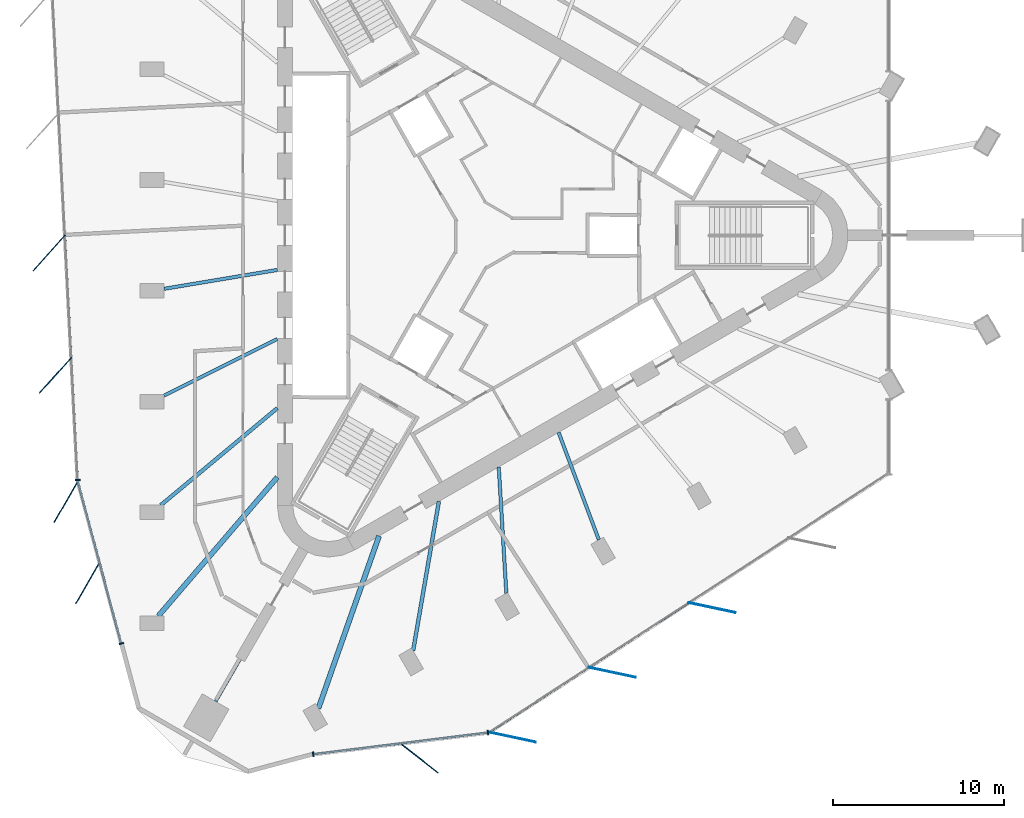
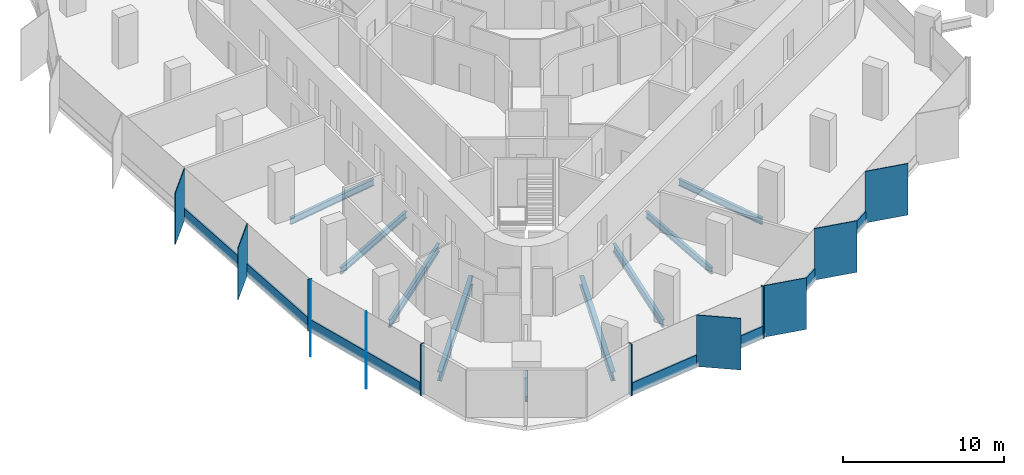
# One storey, part 2 of 12: 20 members, 9 beams, 4 elements without a shape of their own.
"""IFC4 building model written with IfcOpenShell, lengths in metres."""

from ifc_helpers import new_model, si_unit, direction, frame, origin, origin_2d, place, context, subcontext, project, spatial, rectangle, i_section, extrude, material, material_profile, profile_set, type_object, element, aggregate, save


model = new_model("IFC4")

# Units and contexts
model_context = context("Model", 3, precision=1e-05, world=origin(), true_north=direction((0.0, 1.0)))
body_context = subcontext(model_context, "Body", "Model", "MODEL_VIEW")
ifc_project = project(units=[si_unit("LENGTHUNIT", "METRE"), si_unit("AREAUNIT", "SQUARE_METRE"), si_unit("VOLUMEUNIT", "CUBIC_METRE"), si_unit("PLANEANGLEUNIT", "RADIAN"), si_unit("MASSUNIT", "GRAM", prefix="KILO")], contexts=[model_context])

# Site, building, storey
site_placement = place(None, origin())
site = spatial("IfcSite", under=ifc_project, at=site_placement, CompositionType="ELEMENT")
building_placement = place(site_placement, origin())
building = spatial("IfcBuilding", under=site, at=building_placement, Name="Tanit Gate Tower", CompositionType="ELEMENT")
storey_placement = place(building_placement, frame((0.0, 0.0, 365.0)))
storey = spatial("IfcBuildingStorey", under=building, at=storey_placement, Name="L83", CompositionType="ELEMENT", Elevation=365.0)

# Curtain wall, members
ifc_material_1 = material(Name="Aluminium bronze anodised and glass", Category="aluminium")
curtain_wall_type = type_object("IfcCurtainWallType", Name="Curtain wall typical high", PredefinedType="NOTDEFINED", material=ifc_material_1)
curtain_wall_1_placement = place(storey_placement, origin())
curtain_wall_1 = element("IfcCurtainWall", 1, at=curtain_wall_1_placement, inside=storey, type_object=curtain_wall_type, Name="Curtain wall L83 W2", PredefinedType="NOTDEFINED")
ifc_material_2 = material(Name="Aluminium bronze anodised", Category="aluminium")
ifc_material_profile_1 = material_profile(ifc_material_2, rectangle(XDim=2.800048828125, YDim=0.055908203125, at=origin_2d()), Name="56x2800 bronze fin mullion")
ifc_profile_set_1 = profile_set([ifc_material_profile_1], Name="Aluminium bronze anodised")
member_type_1 = type_object("IfcMemberType", Name="FIN MULLION 56x2800 bronze", PredefinedType="MULLION", material=ifc_profile_set_1)
member_1_placement = place(storey_placement, frame((-25.40966796875, -1.026611328125, -0.300048828125), z_axis=(0.0, 0.0, 1.0), x_axis=(0.66948111798, 0.742829073656, 0.0)))
member_1 = element("IfcMember", 2, at=member_1_placement, type_object=member_type_1, Name="Fin mullion L83 W2.3", PredefinedType="MULLION", context=body_context, shape_type="SweptSolid", body=[
    extrude(rectangle(XDim=2.800048828125, YDim=0.055908203125, at=origin_2d()), origin(), (0.0, 0.0, 1.0), 3.900146484375),
])
member_2_placement = place(storey_placement, frame((-25.0390625, -8.15966796875, -0.300048828125), z_axis=(0.0, 0.0, 1.0), x_axis=(0.66948111798, 0.742829073656, 0.0)))
member_2 = element("IfcMember", 3, at=member_2_placement, type_object=member_type_1, Name="Fin mullion L83 W2.4", PredefinedType="MULLION", context=body_context, shape_type="SweptSolid", body=[
    extrude(rectangle(XDim=2.800048828125, YDim=0.055908203125, at=origin_2d()), origin(), (0.0, 0.0, 1.0), 3.900146484375),
])

curtain_wall_2_placement = place(storey_placement, origin())
curtain_wall_2 = element("IfcCurtainWall", 4, at=curtain_wall_2_placement, inside=storey, type_object=curtain_wall_type, Name="Curtain wall L83 W3", PredefinedType="NOTDEFINED")
member_3_placement = place(storey_placement, frame((-24.4228515625, -15.541259765625, -0.300048828125), z_axis=(0.0, 0.0, 1.0), x_axis=(0.500271667571, 0.865868499615, 0.0)))
member_3 = element("IfcMember", 5, at=member_3_placement, type_object=member_type_1, Name="Fin mullion L83 W3.1", PredefinedType="MULLION", context=body_context, shape_type="SweptSolid", body=[
    extrude(rectangle(XDim=2.800048828125, YDim=0.055908203125, at=origin_2d()), origin(), (0.0, 0.0, 1.0), 3.900146484375),
])
member_4_placement = place(storey_placement, frame((-23.15673828125, -20.27197265625, -0.300048828125), z_axis=(0.0, 0.0, 1.0), x_axis=(0.500271667571, 0.865868499615, 0.0)))
member_4 = element("IfcMember", 6, at=member_4_placement, type_object=member_type_1, Name="Fin mullion L83 W3.2", PredefinedType="MULLION", context=body_context, shape_type="SweptSolid", body=[
    extrude(rectangle(XDim=2.800048828125, YDim=0.055908203125, at=origin_2d()), origin(), (0.0, 0.0, 1.0), 3.900146484375),
])

# Curtain wall, member
curtain_wall_3_placement = place(storey_placement, origin())
curtain_wall_3 = element("IfcCurtainWall", 7, at=curtain_wall_3_placement, inside=storey, type_object=curtain_wall_type, Name="Curtain wall L83 SE1", PredefinedType="NOTDEFINED")
member_5_placement = place(storey_placement, frame((-3.822998046875, -30.4853515625, -0.300048828125), z_axis=(0.0, 0.0, 1.0), x_axis=(-0.788562382323, 0.614954770032, 0.0)))
member_5 = element("IfcMember", 8, at=member_5_placement, type_object=member_type_1, Name="Fin mullion L83 SE1.2", PredefinedType="MULLION", context=body_context, shape_type="SweptSolid", body=[
    extrude(rectangle(XDim=2.800048828125, YDim=0.055908203125, at=origin_2d()), origin(), (0.0, 0.0, 1.0), 3.900146484375),
])

# Curtain wall, members
curtain_wall_4_placement = place(storey_placement, origin())
curtain_wall_4 = element("IfcCurtainWall", 9, at=curtain_wall_4_placement, inside=storey, type_object=curtain_wall_type, Name="Curtain wall L83 SE2c", PredefinedType="NOTDEFINED")
member_6_placement = place(storey_placement, frame((1.609130859375, -29.26708984375, -0.300048828125), z_axis=(0.0, 0.0, 1.0), x_axis=(-0.978049407445, 0.208373118697, 0.0)))
member_6 = element("IfcMember", 10, at=member_6_placement, type_object=member_type_1, Name="Fin mullion L83 SE2c.1", PredefinedType="MULLION", context=body_context, shape_type="SweptSolid", body=[
    extrude(rectangle(XDim=2.800048828125, YDim=0.055908203125, at=origin_2d()), origin(), (0.0, 0.0, 1.0), 3.900146484375),
])
member_7_placement = place(storey_placement, frame((7.43115234375, -25.489990234375, -0.300048828125), z_axis=(0.0, 0.0, 1.0), x_axis=(-0.978049407445, 0.208373118697, 0.0)))
member_7 = element("IfcMember", 11, at=member_7_placement, type_object=member_type_1, Name="Fin mullion L83 SE2c.2", PredefinedType="MULLION", context=body_context, shape_type="SweptSolid", body=[
    extrude(rectangle(XDim=2.800048828125, YDim=0.055908203125, at=origin_2d()), origin(), (0.0, 0.0, 1.0), 3.900146484375),
])
member_8_placement = place(storey_placement, frame((13.2529296875, -21.713134765625, -0.300048828125), z_axis=(0.0, 0.0, 1.0), x_axis=(-0.978049407445, 0.208373118697, 0.0)))
member_8 = element("IfcMember", 12, at=member_8_placement, type_object=member_type_1, Name="Fin mullion L83 SE2c.3", PredefinedType="MULLION", context=body_context, shape_type="SweptSolid", body=[
    extrude(rectangle(XDim=2.800048828125, YDim=0.055908203125, at=origin_2d()), origin(), (0.0, 0.0, 1.0), 3.900146484375),
])

# Member
ifc_material_3 = material(Name="Aluminium bronze anodised", Category="aluminium")
ifc_material_profile_2 = material_profile(ifc_material_3, rectangle(XDim=0.280029296875, YDim=0.080078125, at=origin_2d()), Name="80x280 bronze mullion")
ifc_profile_set_2 = profile_set([ifc_material_profile_2], Name="Aluminium bronze anodised")
member_type_2 = type_object("IfcMemberType", Name="Mullion 80x280 typical high", PredefinedType="MULLION", material=ifc_profile_set_2)
member_9_placement = place(storey_placement, frame((-23.74462890625, -14.267578125, -0.300048828125), z_axis=(0.0, 0.0, 1.0), x_axis=(0.998654113645, 0.051864836844, 0.0)))
member_9 = element("IfcMember", 13, at=member_9_placement, type_object=member_type_2, Name="Mullion L83 W2.5", PredefinedType="MULLION", context=body_context, shape_type="SweptSolid", body=[
    extrude(rectangle(XDim=0.280029296875, YDim=0.080078125, at=origin_2d()), origin(), (0.0, 0.0, 1.0), 3.900146484375),
])

member_10_placement = place(storey_placement, frame((-21.2001953125, -23.8076171875, -0.300048828125), z_axis=(0.0, 0.0, 1.0), x_axis=(0.966006976269, 0.258515999119, 0.0)))
member_10 = element("IfcMember", 14, at=member_10_placement, type_object=member_type_2, Name="Mullion L83 W3.3", PredefinedType="MULLION", context=body_context, shape_type="SweptSolid", body=[
    extrude(rectangle(XDim=0.280029296875, YDim=0.080078125, at=origin_2d()), origin(), (0.0, 0.0, 1.0), 3.900146484375),
])

member_11_placement = place(storey_placement, frame((-10.0087890625, -30.26708984375, -0.300048828125), z_axis=(0.0, 0.0, 1.0), x_axis=(-0.122759119916, 0.992436495942, 0.0)))
member_11 = element("IfcMember", 15, at=member_11_placement, type_object=member_type_2, Name="Mullion L83 SE1.1", PredefinedType="MULLION", context=body_context, shape_type="SweptSolid", body=[
    extrude(rectangle(XDim=0.280029296875, YDim=0.080078125, at=origin_2d()), origin(), (0.0, 0.0, 1.0), 3.900146484375),
])

member_12_placement = place(storey_placement, frame((0.18603515625, -29.006103515625, -0.300048828125), z_axis=(0.0, 0.0, 1.0), x_axis=(-0.122759119916, 0.992436495942, 0.0)))
member_12 = element("IfcMember", 16, at=member_12_placement, type_object=member_type_2, Name="Mullion L83 SE1.3", PredefinedType="MULLION", context=body_context, shape_type="SweptSolid", body=[
    extrude(rectangle(XDim=0.280029296875, YDim=0.080078125, at=origin_2d()), origin(), (0.0, 0.0, 1.0), 3.900146484375),
])

# Beams
ifc_material_4 = material(Name="Steel S355", Category="steel")
ifc_material_profile_3 = material_profile(ifc_material_4, i_section(OverallWidth=0.300048828125, OverallDepth=0.68994140625, WebThickness=0.014404296875, FlangeThickness=0.027099609375, FilletRadius=0.027099609375, at=origin_2d()), Name="HEA 700")
ifc_profile_set_3 = profile_set([ifc_material_profile_3], Name="Steel S355")
beam_type_1 = type_object("IfcBeamType", Name="RADIAL GIRDER HEA 700 S355", PredefinedType="BEAM", material=ifc_profile_set_3)
beam_1_placement = place(storey_placement, frame((-19.041259765625, -22.198486328125, -0.64501953125), z_axis=(0.651064859014, 0.759022100704, 0.0), x_axis=(-0.759022100704, 0.651064859014, 0.0)))
element("IfcBeam", 17, at=beam_1_placement, inside=storey, type_object=beam_type_1, Name="RADIAL GIRDER", PredefinedType="BEAM", context=body_context, shape_type="SweptSolid", body=[
    extrude(i_section(OverallWidth=0.300048828125, OverallDepth=0.68994140625, WebThickness=0.014404296875, FlangeThickness=0.027099609375, FilletRadius=0.027099609375, at=origin_2d()), origin(), (0.0, 0.0, 1.0), 10.658203125),
])
beam_2_placement = place(storey_placement, frame((-9.703857421875, -27.589599609375, -0.64501953125), z_axis=(0.331790708443, 0.943353022887, 0.0), x_axis=(-0.943353022887, 0.331790708443, 0.0)))
element("IfcBeam", 18, at=beam_2_placement, inside=storey, type_object=beam_type_1, Name="RADIAL GIRDER", PredefinedType="BEAM", context=body_context, shape_type="SweptSolid", body=[
    extrude(i_section(OverallWidth=0.300048828125, OverallDepth=0.68994140625, WebThickness=0.014404296875, FlangeThickness=0.027099609375, FilletRadius=0.027099609375, at=origin_2d()), origin(), (0.0, 0.0, 1.0), 10.658447265625),
])
ifc_material_5 = material(Name="Steel S355", Category="steel")
ifc_material_profile_4 = material_profile(ifc_material_5, i_section(OverallWidth=0.179931640625, OverallDepth=0.39990234375, WebThickness=0.008544921875, FlangeThickness=0.013427734375, FilletRadius=0.02099609375, at=origin_2d()), Name="IPE 400")
ifc_profile_set_4 = profile_set([ifc_material_profile_4], Name="Steel S355")
beam_type_2 = type_object("IfcBeamType", Name="RADIAL GIRDER IPE 400 S355", PredefinedType="BEAM", material=ifc_profile_set_4)
beam_3_placement = place(storey_placement, frame((-15.69580078125, -27.185791015625, -0.5), z_axis=(0.500068051468, 0.865986110686, 0.0), x_axis=(-0.865986110686, 0.500068051468, 0.0)))
element("IfcBeam", 19, at=beam_3_placement, inside=storey, type_object=beam_type_2, Name="RADIAL GIRDER", PredefinedType="BEAM", context=body_context, shape_type="SweptSolid", body=[
    extrude(i_section(OverallWidth=0.179931640625, OverallDepth=0.39990234375, WebThickness=0.008544921875, FlangeThickness=0.013427734375, FilletRadius=0.02099609375, at=origin_2d()), origin(), (0.0, 0.0, 1.0), 2.853515625),
])
ifc_material_6 = material(Name="Steel S355", Category="steel")
ifc_material_profile_5 = material_profile(ifc_material_6, i_section(OverallWidth=0.199951171875, OverallDepth=0.5, WebThickness=0.01025390625, FlangeThickness=0.01611328125, FilletRadius=0.02099609375, at=origin_2d()), Name="IPE 500")
ifc_profile_set_5 = profile_set([ifc_material_profile_5], Name="Steel S355")
beam_type_3 = type_object("IfcBeamType", Name="RADIAL GIRDER IPE 500 S355", PredefinedType="BEAM", material=ifc_profile_set_5)
beam_4_placement = place(storey_placement, frame((-18.705810546875, -3.115234375, -0.550048828125), z_axis=(0.986412644048, 0.164286626546, 0.0), x_axis=(-0.164286626546, 0.986412644048, 0.0)))
element("IfcBeam", 20, at=beam_4_placement, inside=storey, type_object=beam_type_3, Name="RADIAL GIRDER", PredefinedType="BEAM", context=body_context, shape_type="SweptSolid", body=[
    extrude(i_section(OverallWidth=0.199951171875, OverallDepth=0.5, WebThickness=0.01025390625, FlangeThickness=0.01611328125, FilletRadius=0.02099609375, at=origin_2d()), origin(), (0.0, 0.0, 1.0), 6.69482421875),
])
beam_5_placement = place(storey_placement, frame((-18.705810546875, -9.34619140625, -0.550048828125), z_axis=(0.894552827641, 0.44696223393, 0.0), x_axis=(-0.44696223393, 0.894552827641, 0.0)))
element("IfcBeam", 21, at=beam_5_placement, inside=storey, type_object=beam_type_3, Name="RADIAL GIRDER", PredefinedType="BEAM", context=body_context, shape_type="SweptSolid", body=[
    extrude(i_section(OverallWidth=0.199951171875, OverallDepth=0.5, WebThickness=0.01025390625, FlangeThickness=0.01611328125, FilletRadius=0.02099609375, at=origin_2d()), origin(), (0.0, 0.0, 1.0), 7.382080078125),
])
beam_6_placement = place(storey_placement, frame((1.259033203125, -20.872802734375, -0.550048828125), z_axis=(-0.060222471201, 0.998184979832, 0.0), x_axis=(-0.998184979832, -0.060222471201, 0.0)))
element("IfcBeam", 22, at=beam_6_placement, inside=storey, type_object=beam_type_3, Name="RADIAL GIRDER", PredefinedType="BEAM", context=body_context, shape_type="SweptSolid", body=[
    extrude(i_section(OverallWidth=0.199951171875, OverallDepth=0.5, WebThickness=0.01025390625, FlangeThickness=0.01611328125, FilletRadius=0.02099609375, at=origin_2d()), origin(), (0.0, 0.0, 1.0), 7.38232421875),
])
beam_7_placement = place(storey_placement, frame((6.655029296875, -17.75732421875, -0.550048828125), z_axis=(-0.350955589185, 0.93639210506, 0.0), x_axis=(-0.93639210506, -0.350955589185, 0.0)))
element("IfcBeam", 23, at=beam_7_placement, inside=storey, type_object=beam_type_3, Name="RADIAL GIRDER", PredefinedType="BEAM", context=body_context, shape_type="SweptSolid", body=[
    extrude(i_section(OverallWidth=0.199951171875, OverallDepth=0.5, WebThickness=0.01025390625, FlangeThickness=0.01611328125, FilletRadius=0.02099609375, at=origin_2d()), origin(), (0.0, 0.0, 1.0), 6.69482421875),
])
ifc_material_7 = material(Name="Steel S355", Category="steel")
ifc_material_profile_6 = material_profile(ifc_material_7, i_section(OverallWidth=0.219970703125, OverallDepth=0.60009765625, WebThickness=0.011962890625, FlangeThickness=0.01904296875, FilletRadius=0.02392578125, at=origin_2d()), Name="IPE 600")
ifc_profile_set_6 = profile_set([ifc_material_profile_6], Name="Steel S355")
beam_type_4 = type_object("IfcBeamType", Name="RADIAL GIRDER IPE 600 S355", PredefinedType="BEAM", material=ifc_profile_set_6)
beam_8_placement = place(storey_placement, frame((-18.8955078125, -15.734619140625, -0.60009765625), z_axis=(0.768456646973, 0.639901853195, 0.0), x_axis=(-0.639901853195, 0.768456646973, 0.0)))
element("IfcBeam", 24, at=beam_8_placement, inside=storey, type_object=beam_type_4, Name="RADIAL GIRDER", PredefinedType="BEAM", context=body_context, shape_type="SweptSolid", body=[
    extrude(i_section(OverallWidth=0.219970703125, OverallDepth=0.60009765625, WebThickness=0.011962890625, FlangeThickness=0.01904296875, FilletRadius=0.02392578125, at=origin_2d()), origin(), (0.0, 0.0, 1.0), 8.84033203125),
])
beam_9_placement = place(storey_placement, frame((-4.178955078125, -24.231201171875, -0.60009765625), z_axis=(0.169949456618, 0.985452780297, 0.0), x_axis=(-0.985452780297, 0.169949456618, 0.0)))
element("IfcBeam", 25, at=beam_9_placement, inside=storey, type_object=beam_type_4, Name="RADIAL GIRDER", PredefinedType="BEAM", context=body_context, shape_type="SweptSolid", body=[
    extrude(i_section(OverallWidth=0.219970703125, OverallDepth=0.60009765625, WebThickness=0.011962890625, FlangeThickness=0.01904296875, FilletRadius=0.02392578125, at=origin_2d()), origin(), (0.0, 0.0, 1.0), 8.840576171875),
])

# Member
ifc_material_8 = material(Name="Aluminium bronze anodised", Category="aluminium")
ifc_material_profile_7 = material_profile(ifc_material_8, rectangle(XDim=0.1201171875, YDim=0.89990234375, at=origin_2d()), Name="120x900 bronze transom")
ifc_profile_set_7 = profile_set([ifc_material_profile_7], Name="Aluminium bronze anodised")
member_type_3 = type_object("IfcMemberType", Name="Transom 120x900 typical high", PredefinedType="USERDEFINED", material=ifc_profile_set_7)
member_13_placement = place(storey_placement, frame((-24.483642578125, -0.041259765625, 0.14990234375), z_axis=(0.051885711215, -0.998653029321, 0.0), x_axis=(0.998653029321, 0.051885711215, 0.0)))
member_13 = element("IfcMember", 26, at=member_13_placement, type_object=member_type_3, Name="Transom L83 W2.3", ObjectType="TRANSOM", PredefinedType="USERDEFINED", context=body_context, shape_type="SweptSolid", body=[
    extrude(rectangle(XDim=0.1201171875, YDim=0.89990234375, at=origin_2d()), origin(), (0.0, 0.0, 1.0), 7.062744140625),
])

member_14_placement = place(storey_placement, frame((-24.113037109375, -7.17431640625, 0.14990234375), z_axis=(0.051849446859, -0.9986549128, 0.0), x_axis=(0.9986549128, 0.051849446859, 0.0)))
member_14 = element("IfcMember", 27, at=member_14_placement, type_object=member_type_3, Name="Transom L83 W2.4", ObjectType="TRANSOM", PredefinedType="USERDEFINED", context=body_context, shape_type="SweptSolid", body=[
    extrude(rectangle(XDim=0.1201171875, YDim=0.89990234375, at=origin_2d()), origin(), (0.0, 0.0, 1.0), 7.06298828125),
])

aggregate(curtain_wall_1, [member_1, member_2, member_9, member_13, member_14])

member_15_placement = place(storey_placement, frame((-23.721923828125, -14.385009765625, 0.14990234375), z_axis=(0.258530032943, -0.966003220526, 0.0), x_axis=(0.966003220526, 0.258530032943, 0.0)))
member_15 = element("IfcMember", 28, at=member_15_placement, type_object=member_type_3, Name="Transom L83 W3.1", ObjectType="TRANSOM", PredefinedType="USERDEFINED", context=body_context, shape_type="SweptSolid", body=[
    extrude(rectangle(XDim=0.1201171875, YDim=0.89990234375, at=origin_2d()), origin(), (0.0, 0.0, 1.0), 4.817138671875),
])

member_16_placement = place(storey_placement, frame((-22.455810546875, -19.11572265625, 0.14990234375), z_axis=(0.258482737276, -0.966015876956, 0.0), x_axis=(0.966015876956, 0.258482737276, 0.0)))
member_16 = element("IfcMember", 29, at=member_16_placement, type_object=member_type_3, Name="Transom L83 W3.2", ObjectType="TRANSOM", PredefinedType="USERDEFINED", context=body_context, shape_type="SweptSolid", body=[
    extrude(rectangle(XDim=0.1201171875, YDim=0.89990234375, at=origin_2d()), origin(), (0.0, 0.0, 1.0), 4.817138671875),
])

aggregate(curtain_wall_2, [member_3, member_4, member_10, member_15, member_16])

member_17_placement = place(storey_placement, frame((-9.96923828125, -30.26220703125, 0.14990234375), z_axis=(0.99243896969, 0.122739119439, 0.0), x_axis=(-0.122739119439, 0.99243896969, 0.0)))
member_17 = element("IfcMember", 30, at=member_17_placement, type_object=member_type_3, Name="Transom L83 SE1.1", ObjectType="TRANSOM", PredefinedType="USERDEFINED", context=body_context, shape_type="SweptSolid", body=[
    extrude(rectangle(XDim=0.1201171875, YDim=0.89990234375, at=origin_2d()), origin(), (0.0, 0.0, 1.0), 5.056396484375),
])

member_18_placement = place(storey_placement, frame((-4.87158203125, -29.631591796875, 0.14990234375), z_axis=(0.99243896969, 0.122739119439, 0.0), x_axis=(-0.122739119439, 0.99243896969, 0.0)))
member_18 = element("IfcMember", 31, at=member_18_placement, type_object=member_type_3, Name="Transom L83 SE1.2", ObjectType="TRANSOM", PredefinedType="USERDEFINED", context=body_context, shape_type="SweptSolid", body=[
    extrude(rectangle(XDim=0.1201171875, YDim=0.89990234375, at=origin_2d()), origin(), (0.0, 0.0, 1.0), 5.056396484375),
])

aggregate(curtain_wall_3, [member_11, member_5, member_12, member_17, member_18])

member_19_placement = place(storey_placement, frame((0.29296875, -28.95751953125, 0.14990234375), z_axis=(0.838933617688, 0.544233759623, 0.0), x_axis=(-0.544233759623, 0.838933617688, 0.0)))
member_19 = element("IfcMember", 32, at=member_19_placement, type_object=member_type_3, Name="Transom L83 SE2c.1", ObjectType="TRANSOM", PredefinedType="USERDEFINED", context=body_context, shape_type="SweptSolid", body=[
    extrude(rectangle(XDim=0.1201171875, YDim=0.89990234375, at=origin_2d()), origin(), (0.0, 0.0, 1.0), 6.859375),
])

member_20_placement = place(storey_placement, frame((6.11474609375, -25.1806640625, 0.14990234375), z_axis=(0.838927909515, 0.544242558642, 0.0), x_axis=(-0.544242558642, 0.838927909515, 0.0)))
member_20 = element("IfcMember", 33, at=member_20_placement, type_object=member_type_3, Name="Transom L83 SE2c.2", ObjectType="TRANSOM", PredefinedType="USERDEFINED", context=body_context, shape_type="SweptSolid", body=[
    extrude(rectangle(XDim=0.1201171875, YDim=0.89990234375, at=origin_2d()), origin(), (0.0, 0.0, 1.0), 6.85986328125),
])

aggregate(curtain_wall_4, [member_6, member_7, member_8, member_19, member_20])

save(model, "model.ifc")
